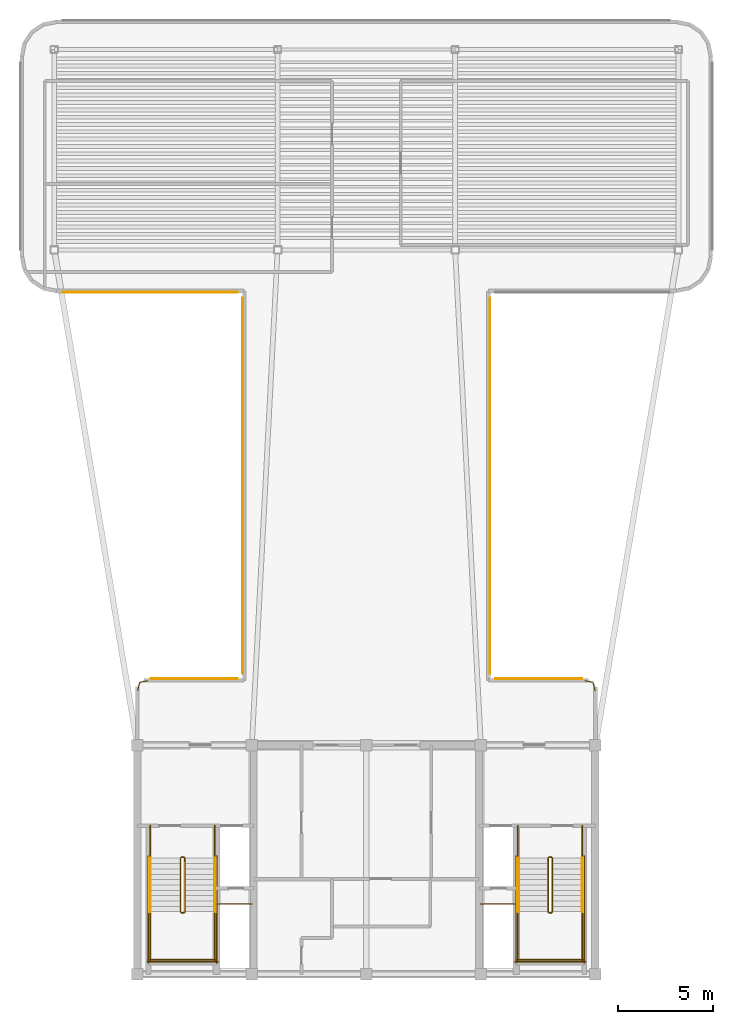
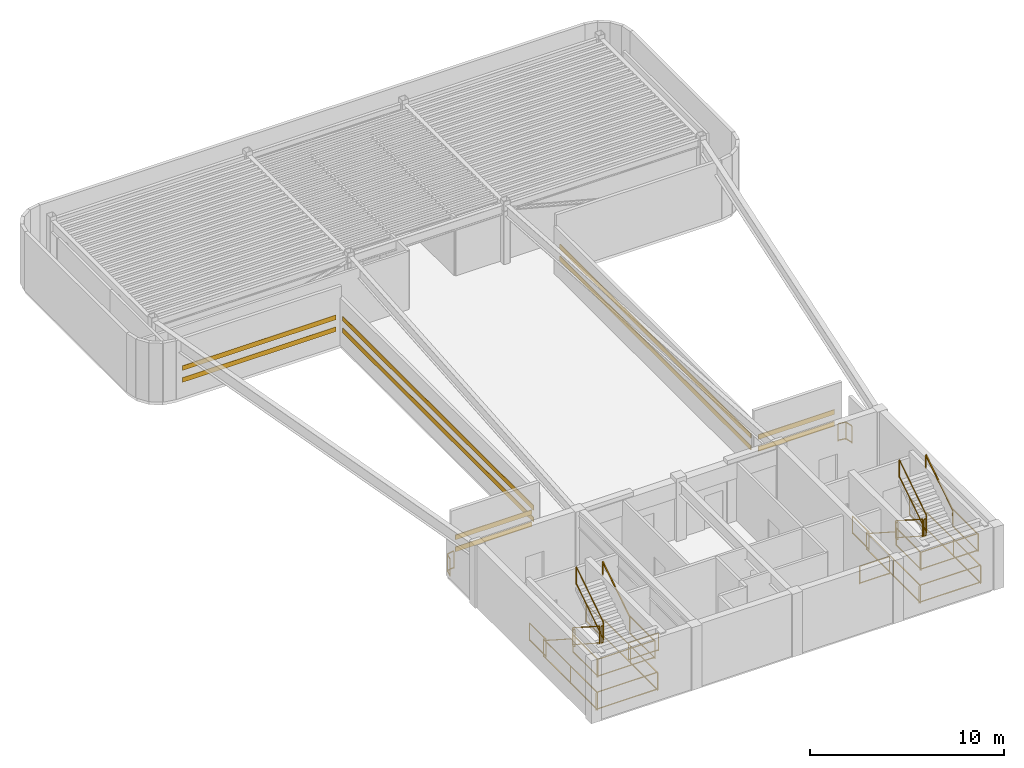
# One storey, part 5 of 6: 32 railings, 10 shading devices.
"""IFC4 building model written with IfcOpenShell, lengths in metres."""

import ifcopenshell
import ifcopenshell.guid

model = None  # the IFC model being written
_history = None  # IfcOwnerHistory: only IFC2X3 demands one
_inside = {}  # id of a spatial element -> (the spatial element, [elements in it])
_under = {}  # id of a project, library or spatial element -> (it, [spatial elements below it])
_declared = {}  # id of a project -> (the project, [libraries it declares])
_typed = {}  # id of a type object -> (the type object, [elements of that type])
_made_of = {}  # id of a material, layer set ... -> (it, [elements and type objects made of it])


def new_model(schema):
    """Start an empty IFC model of exactly this schema.

    Asked for "IFC4X3", IfcOpenShell would pick the latest addendum, in which some entities
    have other attributes; the version numbers below select the first issue.
    IFC2X3 requires an IfcOwnerHistory on every rooted entity: one is made here for all.
    """
    global model, _history
    if schema == "IFC4X3":
        model = ifcopenshell.file(schema_version=(4, 3, 0, 0))
    else:
        model = ifcopenshell.file(schema=schema)
    _inside.clear()
    _under.clear()
    _declared.clear()
    _typed.clear()
    _made_of.clear()
    _history = None
    if model.schema == "IFC2X3":
        org = make("IfcOrganization", Name="unknown")
        user = make(
            "IfcPersonAndOrganization",
            ThePerson=make("IfcPerson", FamilyName="unknown"),
            TheOrganization=org,
        )
        app = make(
            "IfcApplication",
            ApplicationDeveloper=org,
            Version="unknown",
            ApplicationFullName="unknown",
            ApplicationIdentifier="unknown",
        )
        _history = make(
            "IfcOwnerHistory",
            OwningUser=user,
            OwningApplication=app,
            ChangeAction="ADDED",
            CreationDate=0,
        )
    return model


def make(cls, **values):
    """One entity of the class cls with the attributes given. An attribute that is None is left unset."""
    return model.create_entity(
        cls, **{name: value for name, value in values.items() if value is not None}
    )


def rooted(cls, **values):
    """An entity with a GlobalId (a new one), such as an element, a storey or a relation."""
    return make(cls, GlobalId=ifcopenshell.guid.new(), OwnerHistory=_history, **values)


def si_unit(unit_type, name, prefix=None):
    """IfcSIUnit, for example si_unit("LENGTHUNIT", "METRE", prefix="MILLI")."""
    return make("IfcSIUnit", UnitType=unit_type, Prefix=prefix, Name=name)


def assignment(units):
    """IfcUnitAssignment: the units of a project."""
    return None if units is None else make("IfcUnitAssignment", Units=units)


def point(xyz):
    """IfcCartesianPoint."""
    return None if xyz is None else make("IfcCartesianPoint", Coordinates=xyz)


def direction(xyz):
    """IfcDirection."""
    return None if xyz is None else make("IfcDirection", DirectionRatios=xyz)


def frame(location, z_axis=None, x_axis=None):
    """IfcAxis2Placement3D, a coordinate frame: its origin and axes. An axis left out is left unset."""
    return make(
        "IfcAxis2Placement3D",
        Location=point(location),
        Axis=direction(z_axis),
        RefDirection=direction(x_axis),
    )


def frame_2d(location, x_axis=None):
    """IfcAxis2Placement2D, a coordinate frame in the plane: its origin and x axis."""
    return make(
        "IfcAxis2Placement2D", Location=point(location), RefDirection=direction(x_axis)
    )


def origin():
    """The frame at (0, 0, 0) with its axes left unset."""
    return frame((0.0, 0.0, 0.0))


def origin_2d():
    """The frame at (0, 0) in the plane with its x axis left unset."""
    return frame_2d((0.0, 0.0))


def place(relative_to, where):
    """IfcLocalPlacement: puts the frame where relative to a parent placement (None: the world)."""
    return make(
        "IfcLocalPlacement", PlacementRelTo=relative_to, RelativePlacement=where
    )


def context(
    kind, dimensions, precision=None, world=None, true_north=None, identifier=None
):
    """IfcGeometricRepresentationContext, for example the 3D "Model" context."""
    return make(
        "IfcGeometricRepresentationContext",
        ContextIdentifier=identifier,
        ContextType=kind,
        CoordinateSpaceDimension=dimensions,
        Precision=precision,
        WorldCoordinateSystem=world,
        TrueNorth=true_north,
    )


def subcontext(parent, identifier, kind, view, scale=None):
    """IfcGeometricRepresentationSubContext, for example "Body" below "Model"."""
    return make(
        "IfcGeometricRepresentationSubContext",
        ContextIdentifier=identifier,
        ContextType=kind,
        ParentContext=parent,
        TargetScale=scale,
        TargetView=view,
    )


def project(units=None, contexts=None):
    """IfcProject with its units and contexts."""
    return rooted(
        "IfcProject",
        Name="project",
        RepresentationContexts=contexts,
        UnitsInContext=assignment(units),
    )


def spatial(cls, under=None, at=None, **own):
    """A site, building, storey or space (cls), placed at a placement, below another one or the project."""
    s = rooted(cls, ObjectPlacement=at, **own)
    if under is not None:
        _under.setdefault(under.id(), (under, []))[1].append(s)
    return s


def profile(cls, at=None, kind="AREA", **sizes):
    """A parametric profile (cls). Its sizes go by their IFC names, for example OverallWidth=200.0."""
    return make(cls, ProfileType=kind, Position=at, **sizes)


def rectangle(**sizes):
    """IfcRectangleProfileDef."""
    return profile("IfcRectangleProfileDef", **sizes)


def extrude(swept, where, along, depth):
    """IfcExtrudedAreaSolid: the profile swept, set in the frame where, extruded along a direction by depth."""
    return make(
        "IfcExtrudedAreaSolid",
        SweptArea=swept,
        Position=where,
        ExtrudedDirection=direction(along),
        Depth=depth,
    )


def shape(context_of_items, identifier, shape_type, items):
    """IfcShapeRepresentation: the items that make up one representation, for example the "Body"."""
    return make(
        "IfcShapeRepresentation",
        ContextOfItems=context_of_items,
        RepresentationIdentifier=identifier,
        RepresentationType=shape_type,
        Items=items,
    )


def source(mapping_origin, context_of_items, identifier, shape_type, items):
    """IfcRepresentationMap: a shape defined once, which mapped items show again and again."""
    return make(
        "IfcRepresentationMap",
        MappingOrigin=mapping_origin,
        MappedRepresentation=shape(context_of_items, identifier, shape_type, items),
    )


def transform(
    local_origin,
    x_axis=None,
    y_axis=None,
    z_axis=None,
    scale=None,
    scale2=None,
    scale3=None,
    uniform=True,
):
    """IfcCartesianTransformationOperator3D, or its non-uniform kind. x_axis, y_axis, z_axis: its Axis1, 2, 3."""
    if uniform:
        return make(
            "IfcCartesianTransformationOperator3D",
            Axis1=direction(x_axis),
            Axis2=direction(y_axis),
            LocalOrigin=point(local_origin),
            Scale=scale,
            Axis3=direction(z_axis),
        )
    return make(
        "IfcCartesianTransformationOperator3DnonUniform",
        Axis1=direction(x_axis),
        Axis2=direction(y_axis),
        LocalOrigin=point(local_origin),
        Scale=scale,
        Axis3=direction(z_axis),
        Scale2=scale2,
        Scale3=scale3,
    )


def mapped(mapping_source, mapping_target):
    """IfcMappedItem: shows the shape of a source again, moved by a transform."""
    return make(
        "IfcMappedItem", MappingSource=mapping_source, MappingTarget=mapping_target
    )


def material(Name=None, Category=None):
    """IfcMaterial."""
    return make("IfcMaterial", Name=Name, Category=Category)


def layer(
    of_material, thickness, ventilated=None, Name=None, Category=None, Priority=None
):
    """IfcMaterialLayer: one layer of a wall or slab, of a material (None: an air gap)."""
    return make(
        "IfcMaterialLayer",
        Material=of_material,
        LayerThickness=thickness,
        IsVentilated=ventilated,
        Name=Name,
        Category=Category,
        Priority=Priority,
    )


def layer_set(layers, Name=None):
    """IfcMaterialLayerSet."""
    return make("IfcMaterialLayerSet", MaterialLayers=layers, LayerSetName=Name)


def material_profile(
    of_material, cross_section, Name=None, Category=None, Priority=None
):
    """IfcMaterialProfile: a cross section and its material."""
    return make(
        "IfcMaterialProfile",
        Name=Name,
        Material=of_material,
        Profile=cross_section,
        Priority=Priority,
        Category=Category,
    )


def profile_set(profiles, Name=None, composite=None):
    """IfcMaterialProfileSet."""
    return make(
        "IfcMaterialProfileSet",
        Name=Name,
        MaterialProfiles=profiles,
        CompositeProfile=composite,
    )


def made_of(thing, what):
    """Note that an element or type object is made of a material, layer set ...; save() writes the relation."""
    if what is not None:
        _made_of.setdefault(what.id(), (what, []))[1].append(thing)
    return thing


def type_object(cls, material=None, **own):
    """A type object (cls), such as IfcWallType, which elements share."""
    return made_of(rooted(cls, **own), material)


def element(
    cls,
    number,
    at=None,
    inside=None,
    cuts=None,
    type_object=None,
    material=None,
    context=None,
    identifier="Body",
    shape_type=None,
    held_by="IfcProductDefinitionShape",
    body=None,
    shapes=None,
    **own,
):
    """One element of the class cls, such as IfcWall. Its Tag is "e" and its number.

    at: its placement. inside: the storey or other place that contains it. cuts: it is an
    opening in that element (IfcRelVoidsElement). A single representation is given by context,
    identifier, shape_type and body (its items); several are given by shapes. held_by: the class
    of the entity that holds the representations. save() writes the other relations.
    """
    e = rooted(cls, Tag="e%d" % number, ObjectPlacement=at, **own)
    if body is not None:
        shapes = [shape(context, identifier, shape_type, body)]
    if shapes is not None:
        e.Representation = make(held_by, Representations=shapes)
    if inside is not None:
        _inside.setdefault(inside.id(), (inside, []))[1].append(e)
    if cuts is not None:
        rooted(
            "IfcRelVoidsElement", RelatingBuildingElement=cuts, RelatedOpeningElement=e
        )
    if type_object is not None:
        _typed.setdefault(type_object.id(), (type_object, []))[1].append(e)
    return made_of(e, material)


def aggregate(whole, parts):
    """IfcRelAggregates: a whole, such as a stair, and the parts it consists of."""
    return rooted("IfcRelAggregates", RelatingObject=whole, RelatedObjects=parts)


def save(model, path):
    """Write the relations noted so far, then the file.

    IfcRelAggregates (storeys below a building ...), IfcRelContainedInSpatialStructure (elements
    in a storey), IfcRelDefinesByType, IfcRelAssociatesMaterial and IfcRelDeclares: one each for
    every whole, place, type object, material and project.
    """
    for whole, parts in _under.values():
        aggregate(whole, parts)
    for where, things in _inside.values():
        rooted(
            "IfcRelContainedInSpatialStructure",
            RelatedElements=things,
            RelatingStructure=where,
        )
    for kind, things in _typed.values():
        rooted("IfcRelDefinesByType", RelatedObjects=things, RelatingType=kind)
    for what, things in _made_of.values():
        rooted("IfcRelAssociatesMaterial", RelatedObjects=things, RelatingMaterial=what)
    for by, libraries in _declared.values():
        rooted("IfcRelDeclares", RelatingContext=by, RelatedDefinitions=libraries)
    model.write(path)


model = new_model("IFC4")

# Units and contexts
model_context = context("Model", 3, precision=1e-05, world=origin(), true_north=direction((0.0, 1.0)))
body_context = subcontext(model_context, "Body", "Model", "MODEL_VIEW")
ifc_project = project(units=[si_unit("LENGTHUNIT", "METRE"), si_unit("AREAUNIT", "SQUARE_METRE"), si_unit("VOLUMEUNIT", "CUBIC_METRE"), si_unit("PLANEANGLEUNIT", "RADIAN"), si_unit("MASSUNIT", "GRAM", prefix="KILO")], contexts=[model_context])

# Site, building, storey
site_placement = place(None, origin())
site = spatial("IfcSite", under=ifc_project, at=site_placement, CompositionType="ELEMENT")
building_placement = place(site_placement, origin())
building = spatial("IfcBuilding", under=site, at=building_placement, Name="Brelvock Crest Care Tower", CompositionType="ELEMENT")
storey_placement = place(building_placement, frame((0.0, 0.0, 307.800048828125)))
storey = spatial("IfcBuildingStorey", under=building, at=storey_placement, Name="L78", CompositionType="ELEMENT", Elevation=307.800048828125)

# Railings
ifc_material_1 = material(Name="Steel Grade 350", Category="steel")
ifc_layer_1 = layer(ifc_material_1, 0.06005859375, Name="RL-GRD1")
ifc_layer_set_1 = layer_set([ifc_layer_1], Name="Steel Grade 350")
railing_type_1 = type_object("IfcRailingType", Name="RL-GRD1", PredefinedType="GUARDRAIL", material=ifc_layer_set_1)
railing_1_placement = place(storey_placement, frame((24.02001953125, 20.85009765625, 0.00390625)))
element("IfcRailing", 1, at=railing_1_placement, inside=storey, type_object=railing_type_1, Name="L78 West Throat Corner Guard", PredefinedType="GUARDRAIL", context=body_context, shape_type="SweptSolid", body=[
    extrude(rectangle(XDim=0.048095703125, YDim=0.048095703125, at=origin_2d()), frame((0.00048828125, 0.001953125, 1.09619140625), z_axis=(0.21715477266, 0.976137185395, 0.0), x_axis=(-0.976137185395, 0.21715477266, 0.0)), (0.0, 0.0, 1.0), 0.45703125),
    extrude(rectangle(XDim=0.048095703125, YDim=0.048095703125, at=origin_2d()), frame((0.00048828125, 0.001953125, 0.054931640625), z_axis=(0.21715477266, 0.976137185395, 0.0), x_axis=(-0.976137185395, 0.21715477266, 0.0)), (0.0, 0.0, 1.0), 0.45703125),
    extrude(rectangle(XDim=0.048095703125, YDim=0.048095703125, at=origin_2d()), frame((0.10205078125, 0.4501953125, 1.09619140625), z_axis=(0.983193031384, 0.182569063749, 0.0), x_axis=(-0.182569063749, 0.983193031384, 0.0)), (0.0, 0.0, 1.0), 0.433349609375),
    extrude(rectangle(XDim=0.048095703125, YDim=0.048095703125, at=origin_2d()), frame((0.10205078125, 0.4501953125, 0.054931640625), z_axis=(0.983193031384, 0.182569063749, 0.0), x_axis=(-0.182569063749, 0.983193031384, 0.0)), (0.0, 0.0, 1.0), 0.433349609375),
    extrude(rectangle(XDim=0.0419921875, YDim=0.0419921875, at=origin_2d()), origin(), (0.0, 0.0, 1.0), 1.070068359375),
    extrude(rectangle(XDim=0.0419921875, YDim=0.0419921875, at=origin_2d()), frame((0.10009765625, 0.449951171875, 0.0)), (0.0, 0.0, 1.0), 1.070068359375),
    extrude(rectangle(XDim=0.0419921875, YDim=0.0419921875, at=origin_2d()), frame((0.530029296875, 0.52978515625, 0.0)), (0.0, 0.0, 1.0), 1.070068359375),
])
railing_2_placement = place(storey_placement, frame((47.449951171875, 21.3798828125, 0.00390625)))
element("IfcRailing", 2, at=railing_2_placement, inside=storey, type_object=railing_type_1, Name="L78 East Throat Corner Guard", PredefinedType="GUARDRAIL", context=body_context, shape_type="SweptSolid", body=[
    extrude(rectangle(XDim=0.048095703125, YDim=0.048095703125, at=origin_2d()), frame((0.001953125, -0.000244140625, 1.09619140625), z_axis=(0.983193031384, -0.182569063749, 0.0), x_axis=(0.182569063749, 0.983193031384, 0.0)), (0.0, 0.0, 1.0), 0.433349609375),
    extrude(rectangle(XDim=0.048095703125, YDim=0.048095703125, at=origin_2d()), frame((0.001953125, -0.000244140625, 0.054931640625), z_axis=(0.983193031384, -0.182569063749, 0.0), x_axis=(0.182569063749, 0.983193031384, 0.0)), (0.0, 0.0, 1.0), 0.433349609375),
    extrude(rectangle(XDim=0.048095703125, YDim=0.048095703125, at=origin_2d()), frame((0.430419921875, -0.081787109375, 1.09619140625), z_axis=(0.21715477266, -0.976137185395, 0.0), x_axis=(0.976137185395, 0.21715477266, 0.0)), (0.0, 0.0, 1.0), 0.45703125),
    extrude(rectangle(XDim=0.048095703125, YDim=0.048095703125, at=origin_2d()), frame((0.430419921875, -0.081787109375, 0.054931640625), z_axis=(0.21715477266, -0.976137185395, 0.0), x_axis=(0.976137185395, 0.21715477266, 0.0)), (0.0, 0.0, 1.0), 0.45703125),
    extrude(rectangle(XDim=0.0419921875, YDim=0.0419921875, at=origin_2d()), origin(), (0.0, 0.0, 1.0), 1.070068359375),
    extrude(rectangle(XDim=0.0419921875, YDim=0.0419921875, at=origin_2d()), frame((0.429931640625, -0.079833984375, 0.0)), (0.0, 0.0, 1.0), 1.070068359375),
    extrude(rectangle(XDim=0.0419921875, YDim=0.0419921875, at=origin_2d()), frame((0.530029296875, -0.52978515625, 0.0)), (0.0, 0.0, 1.0), 1.070068359375),
])
ifc_layer_2 = layer(ifc_material_1, 0.050048828125, Name="RL-STG1")
ifc_layer_set_2 = layer_set([ifc_layer_2], Name="Steel Grade 350")
railing_type_2 = type_object("IfcRailingType", Name="RL-STG1", PredefinedType="GUARDRAIL", material=ifc_layer_set_2)
railing_3_placement = place(storey_placement, frame((26.260009765625, 12.080078125, 0.179931640625)))
element("IfcRailing", 3, at=railing_3_placement, inside=storey, type_object=railing_type_2, Name="L78 ST-1 stair guard 1", PredefinedType="GUARDRAIL", context=body_context, shape_type="SweptSolid", body=[
    extrude(rectangle(XDim=0.048095703125, YDim=0.048095703125, at=origin_2d()), frame((0.0, -0.001708984375, 1.116943359375), z_axis=(0.0, -0.841176092368, 0.540761298198), x_axis=(1.0, 0.0, 0.0)), (0.0, 0.0, 1.0), 3.32470703125),
    extrude(rectangle(XDim=0.048095703125, YDim=0.048095703125, at=origin_2d()), frame((0.0, -0.001708984375, 0.05615234375), z_axis=(0.0, -0.841176092368, 0.540761298198), x_axis=(1.0, 0.0, 0.0)), (0.0, 0.0, 1.0), 3.32470703125),
    extrude(rectangle(XDim=0.0419921875, YDim=0.0419921875, at=origin_2d()), origin(), (0.0, 0.0, 1.0), 1.08984375),
    extrude(rectangle(XDim=0.0419921875, YDim=0.0419921875, at=origin_2d()), frame((0.0, -2.800048828125, 1.800048828125)), (0.0, 0.0, 1.0), 1.08984375),
])
railing_4_placement = place(storey_placement, frame((26.31005859375, 9.22998046875, 1.97998046875)))
element("IfcRailing", 4, at=railing_4_placement, inside=storey, type_object=railing_type_2, Name="L78 ST-1 stair guard 2", PredefinedType="GUARDRAIL", context=body_context, shape_type="SweptSolid", body=[
    extrude(rectangle(XDim=0.048095703125, YDim=0.048095703125, at=origin_2d()), frame((0.001953125, 0.0, 1.11572265625), z_axis=(1.0, 0.0, 0.0), x_axis=(0.0, 1.0, 0.0)), (0.0, 0.0, 1.0), 0.115966796875),
    extrude(rectangle(XDim=0.048095703125, YDim=0.048095703125, at=origin_2d()), frame((0.001953125, 0.0, 0.054931640625), z_axis=(1.0, 0.0, 0.0), x_axis=(0.0, 1.0, 0.0)), (0.0, 0.0, 1.0), 0.115966796875),
    extrude(rectangle(XDim=0.0419921875, YDim=0.0419921875, at=origin_2d()), origin(), (0.0, 0.0, 1.0), 1.08984375),
    extrude(rectangle(XDim=0.0419921875, YDim=0.0419921875, at=origin_2d()), frame((0.119873046875, 0.0, 0.0)), (0.0, 0.0, 1.0), 1.08984375),
])
for number, where, name in (
    (5, (24.679931640625, 9.280029296875, 1.97998046875), "L78 ST-1 stair guard 3"),
    (6, (28.06005859375, 9.280029296875, 1.97998046875), "L78 ST-1 stair guard 4"),
):
    element("IfcRailing", number, at=place(storey_placement, frame(where)), inside=storey, type_object=railing_type_2, Name=name, PredefinedType="GUARDRAIL", context=body_context, shape_type="SweptSolid", body=[
        extrude(rectangle(XDim=0.048095703125, YDim=0.048095703125, at=origin_2d()), frame((0.0, -0.001953125, 1.11572265625), z_axis=(0.0, -1.0, 0.0), x_axis=(1.0, 0.0, 0.0)), (0.0, 0.0, 1.0), 2.576171875),
        extrude(rectangle(XDim=0.048095703125, YDim=0.048095703125, at=origin_2d()), frame((0.0, -0.001953125, 0.054931640625), z_axis=(0.0, -1.0, 0.0), x_axis=(1.0, 0.0, 0.0)), (0.0, 0.0, 1.0), 2.576171875),
        extrude(rectangle(XDim=0.0419921875, YDim=0.0419921875, at=origin_2d()), origin(), (0.0, 0.0, 1.0), 1.08984375),
        extrude(rectangle(XDim=0.0419921875, YDim=0.0419921875, at=origin_2d()), frame((0.0, -2.580078125, 0.0)), (0.0, 0.0, 1.0), 1.08984375),
    ])
railing_5_placement = place(storey_placement, frame((24.6298828125, 6.75, 1.97998046875)))
element("IfcRailing", 7, at=railing_5_placement, inside=storey, type_object=railing_type_2, Name="L78 ST-1 stair guard 5", PredefinedType="GUARDRAIL", context=body_context, shape_type="SweptSolid", body=[
    extrude(rectangle(XDim=0.048095703125, YDim=0.048095703125, at=origin_2d()), frame((0.001953125, 0.0, 1.11572265625), z_axis=(1.0, 0.0, 0.0), x_axis=(0.0, 1.0, 0.0)), (0.0, 0.0, 1.0), 3.476318359375),
    extrude(rectangle(XDim=0.048095703125, YDim=0.048095703125, at=origin_2d()), frame((0.001953125, 0.0, 0.054931640625), z_axis=(1.0, 0.0, 0.0), x_axis=(0.0, 1.0, 0.0)), (0.0, 0.0, 1.0), 3.476318359375),
    extrude(rectangle(XDim=0.0419921875, YDim=0.0419921875, at=origin_2d()), origin(), (0.0, 0.0, 1.0), 1.08984375),
    extrude(rectangle(XDim=0.0419921875, YDim=0.0419921875, at=origin_2d()), frame((3.480224609375, 0.0, 0.0)), (0.0, 0.0, 1.0), 1.08984375),
])
railing_6_placement = place(storey_placement, frame((26.47998046875, 9.280029296875, 2.159912109375)))
element("IfcRailing", 8, at=railing_6_placement, inside=storey, type_object=railing_type_2, Name="L78 ST-1 stair guard 6", PredefinedType="GUARDRAIL", context=body_context, shape_type="SweptSolid", body=[
    extrude(rectangle(XDim=0.048095703125, YDim=0.048095703125, at=origin_2d()), frame((0.0, 0.001708984375, 1.116943359375), z_axis=(0.0, 0.841176092368, 0.540761298198), x_axis=(-1.0, 0.0, 0.0)), (0.0, 0.0, 1.0), 3.32470703125),
    extrude(rectangle(XDim=0.048095703125, YDim=0.048095703125, at=origin_2d()), frame((0.0, 0.001708984375, 0.05615234375), z_axis=(0.0, 0.841176092368, 0.540761298198), x_axis=(-1.0, 0.0, 0.0)), (0.0, 0.0, 1.0), 3.32470703125),
    extrude(rectangle(XDim=0.0419921875, YDim=0.0419921875, at=origin_2d()), origin(), (0.0, 0.0, 1.0), 1.08984375),
    extrude(rectangle(XDim=0.0419921875, YDim=0.0419921875, at=origin_2d()), frame((0.0, 2.800048828125, 1.800048828125)), (0.0, 0.0, 1.0), 1.08984375),
])
railing_7_placement = place(storey_placement, frame((26.31005859375, 12.1298828125, 0.0)))
element("IfcRailing", 9, at=railing_7_placement, inside=storey, type_object=railing_type_2, Name="L78 ST-1 stair guard 7", PredefinedType="GUARDRAIL", context=body_context, shape_type="SweptSolid", body=[
    extrude(rectangle(XDim=0.048095703125, YDim=0.048095703125, at=origin_2d()), frame((0.001953125, 0.0, 1.11572265625), z_axis=(1.0, 0.0, 0.0), x_axis=(0.0, 1.0, 0.0)), (0.0, 0.0, 1.0), 0.115966796875),
    extrude(rectangle(XDim=0.048095703125, YDim=0.048095703125, at=origin_2d()), frame((0.001953125, 0.0, 0.054931640625), z_axis=(1.0, 0.0, 0.0), x_axis=(0.0, 1.0, 0.0)), (0.0, 0.0, 1.0), 0.115966796875),
    extrude(rectangle(XDim=0.0419921875, YDim=0.0419921875, at=origin_2d()), origin(), (0.0, 0.0, 1.0), 1.08984375),
    extrude(rectangle(XDim=0.0419921875, YDim=0.0419921875, at=origin_2d()), frame((0.119873046875, 0.0, 0.0)), (0.0, 0.0, 1.0), 1.08984375),
])
for number, where, name in (
    (10, (24.679931640625, 13.780029296875, 0.0), "L78 ST-1 stair guard 8"),
    (11, (28.06005859375, 13.780029296875, 0.0), "L78 ST-1 stair guard 9"),
):
    element("IfcRailing", number, at=place(storey_placement, frame(where)), inside=storey, type_object=railing_type_2, Name=name, PredefinedType="GUARDRAIL", context=body_context, shape_type="SweptSolid", body=[
        extrude(rectangle(XDim=0.048095703125, YDim=0.048095703125, at=origin_2d()), frame((0.0, -0.001953125, 1.11572265625), z_axis=(0.0, -1.0, 0.0), x_axis=(1.0, 0.0, 0.0)), (0.0, 0.0, 1.0), 1.696044921875),
        extrude(rectangle(XDim=0.048095703125, YDim=0.048095703125, at=origin_2d()), frame((0.0, -0.001953125, 0.054931640625), z_axis=(0.0, -1.0, 0.0), x_axis=(1.0, 0.0, 0.0)), (0.0, 0.0, 1.0), 1.696044921875),
        extrude(rectangle(XDim=0.0419921875, YDim=0.0419921875, at=origin_2d()), origin(), (0.0, 0.0, 1.0), 1.08984375),
        extrude(rectangle(XDim=0.0419921875, YDim=0.0419921875, at=origin_2d()), frame((0.0, -1.699951171875, 0.0)), (0.0, 0.0, 1.0), 1.08984375),
    ])
for number, where, name in (
    (12, (24.580078125, 12.179931640625, 0.0), "L78 ST-1 stair guard 10"),
    (13, (28.159912109375, 12.179931640625, 0.0), "L78 ST-1 stair guard 11"),
):
    element("IfcRailing", number, at=place(storey_placement, frame(where)), inside=storey, type_object=railing_type_2, Name=name, PredefinedType="GUARDRAIL", context=body_context, shape_type="SweptSolid", body=[
        extrude(rectangle(XDim=0.048095703125, YDim=0.048095703125, at=origin_2d()), frame((0.0, -0.001953125, 1.11572265625), z_axis=(0.0, -1.0, 0.0), x_axis=(1.0, 0.0, 0.0)), (0.0, 0.0, 1.0), 5.575927734375),
        extrude(rectangle(XDim=0.048095703125, YDim=0.048095703125, at=origin_2d()), frame((0.0, -0.001953125, 0.054931640625), z_axis=(0.0, -1.0, 0.0), x_axis=(1.0, 0.0, 0.0)), (0.0, 0.0, 1.0), 5.575927734375),
        extrude(rectangle(XDim=0.0419921875, YDim=0.0419921875, at=origin_2d()), origin(), (0.0, 0.0, 1.0), 1.08984375),
        extrude(rectangle(XDim=0.0419921875, YDim=0.0419921875, at=origin_2d()), frame((0.0, -2.7900390625, 0.0)), (0.0, 0.0, 1.0), 1.08984375),
        extrude(rectangle(XDim=0.0419921875, YDim=0.0419921875, at=origin_2d()), frame((0.0, -5.579833984375, 0.0)), (0.0, 0.0, 1.0), 1.08984375),
    ])
railing_8_placement = place(storey_placement, frame((24.530029296875, 6.64990234375, 0.0)))
element("IfcRailing", 14, at=railing_8_placement, inside=storey, type_object=railing_type_2, Name="L78 ST-1 stair guard 12", PredefinedType="GUARDRAIL", context=body_context, shape_type="SweptSolid", body=[
    extrude(rectangle(XDim=0.048095703125, YDim=0.048095703125, at=origin_2d()), frame((0.001953125, 0.0, 1.11572265625), z_axis=(1.0, 0.0, 0.0), x_axis=(0.0, 1.0, 0.0)), (0.0, 0.0, 1.0), 3.676025390625),
    extrude(rectangle(XDim=0.048095703125, YDim=0.048095703125, at=origin_2d()), frame((0.001953125, 0.0, 0.054931640625), z_axis=(1.0, 0.0, 0.0), x_axis=(0.0, 1.0, 0.0)), (0.0, 0.0, 1.0), 3.676025390625),
    extrude(rectangle(XDim=0.0419921875, YDim=0.0419921875, at=origin_2d()), origin(), (0.0, 0.0, 1.0), 1.08984375),
    extrude(rectangle(XDim=0.0419921875, YDim=0.0419921875, at=origin_2d()), frame((3.679931640625, 0.0, 0.0)), (0.0, 0.0, 1.0), 1.08984375),
])
railing_9_placement = place(storey_placement, frame((45.52001953125, 12.080078125, 0.179931640625)))
element("IfcRailing", 15, at=railing_9_placement, inside=storey, type_object=railing_type_2, Name="L78 ST-2 stair guard 1", PredefinedType="GUARDRAIL", context=body_context, shape_type="SweptSolid", body=[
    extrude(rectangle(XDim=0.048095703125, YDim=0.048095703125, at=origin_2d()), frame((0.0, -0.001708984375, 1.116943359375), z_axis=(0.0, -0.841176092368, 0.540761298198), x_axis=(1.0, 0.0, 0.0)), (0.0, 0.0, 1.0), 3.32470703125),
    extrude(rectangle(XDim=0.048095703125, YDim=0.048095703125, at=origin_2d()), frame((0.0, -0.001708984375, 0.05615234375), z_axis=(0.0, -0.841176092368, 0.540761298198), x_axis=(1.0, 0.0, 0.0)), (0.0, 0.0, 1.0), 3.32470703125),
    extrude(rectangle(XDim=0.0419921875, YDim=0.0419921875, at=origin_2d()), origin(), (0.0, 0.0, 1.0), 1.08984375),
    extrude(rectangle(XDim=0.0419921875, YDim=0.0419921875, at=origin_2d()), frame((0.0, -2.800048828125, 1.800048828125)), (0.0, 0.0, 1.0), 1.08984375),
])
railing_10_placement = place(storey_placement, frame((45.570068359375, 9.22998046875, 1.97998046875)))
element("IfcRailing", 16, at=railing_10_placement, inside=storey, type_object=railing_type_2, Name="L78 ST-2 stair guard 2", PredefinedType="GUARDRAIL", context=body_context, shape_type="SweptSolid", body=[
    extrude(rectangle(XDim=0.048095703125, YDim=0.048095703125, at=origin_2d()), frame((0.001953125, 0.0, 1.11572265625), z_axis=(1.0, 0.0, 0.0), x_axis=(0.0, 1.0, 0.0)), (0.0, 0.0, 1.0), 0.115966796875),
    extrude(rectangle(XDim=0.048095703125, YDim=0.048095703125, at=origin_2d()), frame((0.001953125, 0.0, 0.054931640625), z_axis=(1.0, 0.0, 0.0), x_axis=(0.0, 1.0, 0.0)), (0.0, 0.0, 1.0), 0.115966796875),
    extrude(rectangle(XDim=0.0419921875, YDim=0.0419921875, at=origin_2d()), origin(), (0.0, 0.0, 1.0), 1.08984375),
    extrude(rectangle(XDim=0.0419921875, YDim=0.0419921875, at=origin_2d()), frame((0.119873046875, 0.0, 0.0)), (0.0, 0.0, 1.0), 1.08984375),
])
for number, where, name in (
    (17, (43.93994140625, 9.280029296875, 1.97998046875), "L78 ST-2 stair guard 3"),
    (18, (47.320068359375, 9.280029296875, 1.97998046875), "L78 ST-2 stair guard 4"),
):
    element("IfcRailing", number, at=place(storey_placement, frame(where)), inside=storey, type_object=railing_type_2, Name=name, PredefinedType="GUARDRAIL", context=body_context, shape_type="SweptSolid", body=[
        extrude(rectangle(XDim=0.048095703125, YDim=0.048095703125, at=origin_2d()), frame((0.0, -0.001953125, 1.11572265625), z_axis=(0.0, -1.0, 0.0), x_axis=(1.0, 0.0, 0.0)), (0.0, 0.0, 1.0), 2.576171875),
        extrude(rectangle(XDim=0.048095703125, YDim=0.048095703125, at=origin_2d()), frame((0.0, -0.001953125, 0.054931640625), z_axis=(0.0, -1.0, 0.0), x_axis=(1.0, 0.0, 0.0)), (0.0, 0.0, 1.0), 2.576171875),
        extrude(rectangle(XDim=0.0419921875, YDim=0.0419921875, at=origin_2d()), origin(), (0.0, 0.0, 1.0), 1.08984375),
        extrude(rectangle(XDim=0.0419921875, YDim=0.0419921875, at=origin_2d()), frame((0.0, -2.580078125, 0.0)), (0.0, 0.0, 1.0), 1.08984375),
    ])
railing_11_placement = place(storey_placement, frame((43.889892578125, 6.75, 1.97998046875)))
element("IfcRailing", 19, at=railing_11_placement, inside=storey, type_object=railing_type_2, Name="L78 ST-2 stair guard 5", PredefinedType="GUARDRAIL", context=body_context, shape_type="SweptSolid", body=[
    extrude(rectangle(XDim=0.048095703125, YDim=0.048095703125, at=origin_2d()), frame((0.001953125, 0.0, 1.11572265625), z_axis=(1.0, 0.0, 0.0), x_axis=(0.0, 1.0, 0.0)), (0.0, 0.0, 1.0), 3.476318359375),
    extrude(rectangle(XDim=0.048095703125, YDim=0.048095703125, at=origin_2d()), frame((0.001953125, 0.0, 0.054931640625), z_axis=(1.0, 0.0, 0.0), x_axis=(0.0, 1.0, 0.0)), (0.0, 0.0, 1.0), 3.476318359375),
    extrude(rectangle(XDim=0.0419921875, YDim=0.0419921875, at=origin_2d()), origin(), (0.0, 0.0, 1.0), 1.08984375),
    extrude(rectangle(XDim=0.0419921875, YDim=0.0419921875, at=origin_2d()), frame((3.480224609375, 0.0, 0.0)), (0.0, 0.0, 1.0), 1.08984375),
])
railing_12_placement = place(storey_placement, frame((45.739990234375, 9.280029296875, 2.159912109375)))
element("IfcRailing", 20, at=railing_12_placement, inside=storey, type_object=railing_type_2, Name="L78 ST-2 stair guard 6", PredefinedType="GUARDRAIL", context=body_context, shape_type="SweptSolid", body=[
    extrude(rectangle(XDim=0.048095703125, YDim=0.048095703125, at=origin_2d()), frame((0.0, 0.001708984375, 1.116943359375), z_axis=(0.0, 0.841176092368, 0.540761298198), x_axis=(-1.0, 0.0, 0.0)), (0.0, 0.0, 1.0), 3.32470703125),
    extrude(rectangle(XDim=0.048095703125, YDim=0.048095703125, at=origin_2d()), frame((0.0, 0.001708984375, 0.05615234375), z_axis=(0.0, 0.841176092368, 0.540761298198), x_axis=(-1.0, 0.0, 0.0)), (0.0, 0.0, 1.0), 3.32470703125),
    extrude(rectangle(XDim=0.0419921875, YDim=0.0419921875, at=origin_2d()), origin(), (0.0, 0.0, 1.0), 1.08984375),
    extrude(rectangle(XDim=0.0419921875, YDim=0.0419921875, at=origin_2d()), frame((0.0, 2.800048828125, 1.800048828125)), (0.0, 0.0, 1.0), 1.08984375),
])
railing_13_placement = place(storey_placement, frame((45.570068359375, 12.1298828125, 0.0)))
element("IfcRailing", 21, at=railing_13_placement, inside=storey, type_object=railing_type_2, Name="L78 ST-2 stair guard 7", PredefinedType="GUARDRAIL", context=body_context, shape_type="SweptSolid", body=[
    extrude(rectangle(XDim=0.048095703125, YDim=0.048095703125, at=origin_2d()), frame((0.001953125, 0.0, 1.11572265625), z_axis=(1.0, 0.0, 0.0), x_axis=(0.0, 1.0, 0.0)), (0.0, 0.0, 1.0), 0.115966796875),
    extrude(rectangle(XDim=0.048095703125, YDim=0.048095703125, at=origin_2d()), frame((0.001953125, 0.0, 0.054931640625), z_axis=(1.0, 0.0, 0.0), x_axis=(0.0, 1.0, 0.0)), (0.0, 0.0, 1.0), 0.115966796875),
    extrude(rectangle(XDim=0.0419921875, YDim=0.0419921875, at=origin_2d()), origin(), (0.0, 0.0, 1.0), 1.08984375),
    extrude(rectangle(XDim=0.0419921875, YDim=0.0419921875, at=origin_2d()), frame((0.119873046875, 0.0, 0.0)), (0.0, 0.0, 1.0), 1.08984375),
])
for number, where, name in (
    (22, (43.93994140625, 13.780029296875, 0.0), "L78 ST-2 stair guard 8"),
    (23, (47.320068359375, 13.780029296875, 0.0), "L78 ST-2 stair guard 9"),
):
    element("IfcRailing", number, at=place(storey_placement, frame(where)), inside=storey, type_object=railing_type_2, Name=name, PredefinedType="GUARDRAIL", context=body_context, shape_type="SweptSolid", body=[
        extrude(rectangle(XDim=0.048095703125, YDim=0.048095703125, at=origin_2d()), frame((0.0, -0.001953125, 1.11572265625), z_axis=(0.0, -1.0, 0.0), x_axis=(1.0, 0.0, 0.0)), (0.0, 0.0, 1.0), 1.696044921875),
        extrude(rectangle(XDim=0.048095703125, YDim=0.048095703125, at=origin_2d()), frame((0.0, -0.001953125, 0.054931640625), z_axis=(0.0, -1.0, 0.0), x_axis=(1.0, 0.0, 0.0)), (0.0, 0.0, 1.0), 1.696044921875),
        extrude(rectangle(XDim=0.0419921875, YDim=0.0419921875, at=origin_2d()), origin(), (0.0, 0.0, 1.0), 1.08984375),
        extrude(rectangle(XDim=0.0419921875, YDim=0.0419921875, at=origin_2d()), frame((0.0, -1.699951171875, 0.0)), (0.0, 0.0, 1.0), 1.08984375),
    ])
for number, where, name in (
    (24, (43.840087890625, 12.179931640625, 0.0), "L78 ST-2 stair guard 10"),
    (25, (47.419921875, 12.179931640625, 0.0), "L78 ST-2 stair guard 11"),
):
    element("IfcRailing", number, at=place(storey_placement, frame(where)), inside=storey, type_object=railing_type_2, Name=name, PredefinedType="GUARDRAIL", context=body_context, shape_type="SweptSolid", body=[
        extrude(rectangle(XDim=0.048095703125, YDim=0.048095703125, at=origin_2d()), frame((0.0, -0.001953125, 1.11572265625), z_axis=(0.0, -1.0, 0.0), x_axis=(1.0, 0.0, 0.0)), (0.0, 0.0, 1.0), 5.575927734375),
        extrude(rectangle(XDim=0.048095703125, YDim=0.048095703125, at=origin_2d()), frame((0.0, -0.001953125, 0.054931640625), z_axis=(0.0, -1.0, 0.0), x_axis=(1.0, 0.0, 0.0)), (0.0, 0.0, 1.0), 5.575927734375),
        extrude(rectangle(XDim=0.0419921875, YDim=0.0419921875, at=origin_2d()), origin(), (0.0, 0.0, 1.0), 1.08984375),
        extrude(rectangle(XDim=0.0419921875, YDim=0.0419921875, at=origin_2d()), frame((0.0, -2.7900390625, 0.0)), (0.0, 0.0, 1.0), 1.08984375),
        extrude(rectangle(XDim=0.0419921875, YDim=0.0419921875, at=origin_2d()), frame((0.0, -5.579833984375, 0.0)), (0.0, 0.0, 1.0), 1.08984375),
    ])
railing_14_placement = place(storey_placement, frame((43.7900390625, 6.64990234375, 0.0)))
element("IfcRailing", 26, at=railing_14_placement, inside=storey, type_object=railing_type_2, Name="L78 ST-2 stair guard 12", PredefinedType="GUARDRAIL", context=body_context, shape_type="SweptSolid", body=[
    extrude(rectangle(XDim=0.048095703125, YDim=0.048095703125, at=origin_2d()), frame((0.001953125, 0.0, 1.11572265625), z_axis=(1.0, 0.0, 0.0), x_axis=(0.0, 1.0, 0.0)), (0.0, 0.0, 1.0), 3.676025390625),
    extrude(rectangle(XDim=0.048095703125, YDim=0.048095703125, at=origin_2d()), frame((0.001953125, 0.0, 0.054931640625), z_axis=(1.0, 0.0, 0.0), x_axis=(0.0, 1.0, 0.0)), (0.0, 0.0, 1.0), 3.676025390625),
    extrude(rectangle(XDim=0.0419921875, YDim=0.0419921875, at=origin_2d()), origin(), (0.0, 0.0, 1.0), 1.08984375),
    extrude(rectangle(XDim=0.0419921875, YDim=0.0419921875, at=origin_2d()), frame((3.679931640625, 0.0, 0.0)), (0.0, 0.0, 1.0), 1.08984375),
])
for number, where, name in (
    (27, (28.219970703125, 9.679931640625, 0.0), "L78 Fire Riser Threshold Guard"),
    (28, (42.0, 9.679931640625, 0.0), "L78 Exhaust Riser Threshold Guard"),
):
    element("IfcRailing", number, at=place(storey_placement, frame(where)), inside=storey, type_object=railing_type_2, Name=name, PredefinedType="GUARDRAIL", context=body_context, shape_type="SweptSolid", body=[
        extrude(rectangle(XDim=0.048095703125, YDim=0.048095703125, at=origin_2d()), frame((0.001953125, 0.0, 1.11572265625), z_axis=(1.0, 0.0, 0.0), x_axis=(0.0, 1.0, 0.0)), (0.0, 0.0, 1.0), 1.776123046875),
        extrude(rectangle(XDim=0.048095703125, YDim=0.048095703125, at=origin_2d()), frame((0.001953125, 0.0, 0.054931640625), z_axis=(1.0, 0.0, 0.0), x_axis=(0.0, 1.0, 0.0)), (0.0, 0.0, 1.0), 1.776123046875),
        extrude(rectangle(XDim=0.0419921875, YDim=0.0419921875, at=origin_2d()), origin(), (0.0, 0.0, 1.0), 1.08984375),
        extrude(rectangle(XDim=0.0419921875, YDim=0.0419921875, at=origin_2d()), frame((1.780029296875, 0.0, 0.0)), (0.0, 0.0, 1.0), 1.08984375),
    ])
ifc_layer_3 = layer(ifc_material_1, 0.048095703125, Name="RL-STH1")
ifc_layer_set_3 = layer_set([ifc_layer_3], Name="Steel Grade 350")
railing_type_3 = type_object("IfcRailingType", Name="RL-STH1", PredefinedType="HANDRAIL", material=ifc_layer_set_3)
railing_15_placement = place(storey_placement, frame((24.679931640625, 12.080078125, 0.179931640625)))
element("IfcRailing", 29, at=railing_15_placement, inside=storey, type_object=railing_type_3, Name="L78 ST-1 stair handrail 1", PredefinedType="HANDRAIL", context=body_context, shape_type="SweptSolid", body=[
    extrude(rectangle(XDim=0.048095703125, YDim=0.048095703125, at=origin_2d()), frame((0.0, -0.001708984375, 0.876953125), z_axis=(0.0, -0.841176092368, 0.540761298198), x_axis=(1.0, 0.0, 0.0)), (0.0, 0.0, 1.0), 3.32470703125),
    extrude(rectangle(XDim=0.0419921875, YDim=0.0419921875, at=origin_2d()), origin(), (0.0, 0.0, 1.0), 0.849853515625),
    extrude(rectangle(XDim=0.0419921875, YDim=0.0419921875, at=origin_2d()), frame((0.0, -2.800048828125, 1.800048828125)), (0.0, 0.0, 1.0), 0.849853515625),
])
railing_16_placement = place(storey_placement, frame((28.06005859375, 9.280029296875, 2.159912109375)))
element("IfcRailing", 30, at=railing_16_placement, inside=storey, type_object=railing_type_3, Name="L78 ST-1 stair handrail 2", PredefinedType="HANDRAIL", context=body_context, shape_type="SweptSolid", body=[
    extrude(rectangle(XDim=0.048095703125, YDim=0.048095703125, at=origin_2d()), frame((0.0, 0.001708984375, 0.876953125), z_axis=(0.0, 0.841176092368, 0.540761298198), x_axis=(-1.0, 0.0, 0.0)), (0.0, 0.0, 1.0), 3.32470703125),
    extrude(rectangle(XDim=0.0419921875, YDim=0.0419921875, at=origin_2d()), origin(), (0.0, 0.0, 1.0), 0.849853515625),
    extrude(rectangle(XDim=0.0419921875, YDim=0.0419921875, at=origin_2d()), frame((0.0, 2.800048828125, 1.800048828125)), (0.0, 0.0, 1.0), 0.849853515625),
])
railing_17_placement = place(storey_placement, frame((43.93994140625, 12.080078125, 0.179931640625)))
element("IfcRailing", 31, at=railing_17_placement, inside=storey, type_object=railing_type_3, Name="L78 ST-2 stair handrail 1", PredefinedType="HANDRAIL", context=body_context, shape_type="SweptSolid", body=[
    extrude(rectangle(XDim=0.048095703125, YDim=0.048095703125, at=origin_2d()), frame((0.0, -0.001708984375, 0.876953125), z_axis=(0.0, -0.841176092368, 0.540761298198), x_axis=(1.0, 0.0, 0.0)), (0.0, 0.0, 1.0), 3.32470703125),
    extrude(rectangle(XDim=0.0419921875, YDim=0.0419921875, at=origin_2d()), origin(), (0.0, 0.0, 1.0), 0.849853515625),
    extrude(rectangle(XDim=0.0419921875, YDim=0.0419921875, at=origin_2d()), frame((0.0, -2.800048828125, 1.800048828125)), (0.0, 0.0, 1.0), 0.849853515625),
])
railing_18_placement = place(storey_placement, frame((47.320068359375, 9.280029296875, 2.159912109375)))
element("IfcRailing", 32, at=railing_18_placement, inside=storey, type_object=railing_type_3, Name="L78 ST-2 stair handrail 2", PredefinedType="HANDRAIL", context=body_context, shape_type="SweptSolid", body=[
    extrude(rectangle(XDim=0.048095703125, YDim=0.048095703125, at=origin_2d()), frame((0.0, 0.001708984375, 0.876953125), z_axis=(0.0, 0.841176092368, 0.540761298198), x_axis=(-1.0, 0.0, 0.0)), (0.0, 0.0, 1.0), 3.32470703125),
    extrude(rectangle(XDim=0.0419921875, YDim=0.0419921875, at=origin_2d()), origin(), (0.0, 0.0, 1.0), 0.849853515625),
    extrude(rectangle(XDim=0.0419921875, YDim=0.0419921875, at=origin_2d()), frame((0.0, 2.800048828125, 1.800048828125)), (0.0, 0.0, 1.0), 0.849853515625),
])

# Shading devices
ifc_material_2 = material(Name="Aluminium 6063-T6", Category="aluminium")
ifc_material_profile_1 = material_profile(ifc_material_2, rectangle(XDim=0.044921875, YDim=0.300048828125, at=origin_2d()), Name="LOUVRE45x300")
ifc_profile_set_1 = profile_set([ifc_material_profile_1], Name="Aluminium 6063-T6")
shading_device_type_1 = type_object("IfcShadingDeviceType", Name="SHD-SH1", PredefinedType="SHUTTER", material=ifc_profile_set_1)
shared_shape_1 = source(origin(), body_context, "Body", "SweptSolid", [
    extrude(rectangle(XDim=0.044921875, YDim=0.300048828125, at=origin_2d()), origin(), (0.0, 0.0, 1.0), 4.550048828125),
])
for number, where, z_axis, x_axis, name in (
    (33, (24.699951171875, 21.47509765625, 1.099853515625), (1.0, 0.0, 0.0), (0.0, 1.0, 0.0), "L78 Crown Acoustic Louvre 11-1"),
    (34, (24.699951171875, 21.47509765625, 1.849853515625), (1.0, 0.0, 0.0), (0.0, 1.0, 0.0), "L78 Crown Acoustic Louvre 11-2"),
    (35, (42.75, 21.47509765625, 1.099853515625), (1.0, 0.0, 0.0), (0.0, 1.0, 0.0), "L78 Crown Acoustic Louvre 35-1"),
    (36, (42.75, 21.47509765625, 1.849853515625), (1.0, 0.0, 0.0), (0.0, 1.0, 0.0), "L78 Crown Acoustic Louvre 35-2"),
):
    element("IfcShadingDevice", number, at=place(storey_placement, frame(where, z_axis=z_axis, x_axis=x_axis)), inside=storey, type_object=shading_device_type_1, Name=name, PredefinedType="SHUTTER", context=body_context, shape_type="MappedRepresentation", body=[
        mapped(shared_shape_1, transform((0.0, 0.0, 0.0), x_axis=(1.0, 0.0, 0.0), y_axis=(0.0, 1.0, 0.0), z_axis=(0.0, 0.0, 1.0), scale=1.0)),
    ])
ifc_material_profile_2 = material_profile(ifc_material_2, rectangle(XDim=0.044921875, YDim=0.300048828125, at=origin_2d()), Name="LOUVRE45x300")
ifc_profile_set_2 = profile_set([ifc_material_profile_2], Name="Aluminium 6063-T6")
shading_device_type_2 = type_object("IfcShadingDeviceType", Name="SHD-LV1", PredefinedType="JALOUSIE", material=ifc_profile_set_2)
shared_shape_2 = source(origin(), body_context, "Body", "SweptSolid", [
    extrude(rectangle(XDim=0.044921875, YDim=0.300048828125, at=origin_2d()), origin(), (0.0, 0.0, 1.0), 19.699951171875),
])
for number, where, z_axis, x_axis, name in (
    (37, (29.52490234375, 21.75, 1.099853515625), (0.0, 1.0, 0.0), (-1.0, 0.0, 0.0), "L78 Crown Acoustic Louvre 12-1"),
    (38, (29.52490234375, 21.75, 1.849853515625), (0.0, 1.0, 0.0), (-1.0, 0.0, 0.0), "L78 Crown Acoustic Louvre 12-2"),
    (39, (42.47509765625, 41.449951171875, 1.099853515625), (0.0, -1.0, 0.0), (1.0, 0.0, 0.0), "L78 Crown Acoustic Louvre 34-1"),
    (40, (42.47509765625, 41.449951171875, 1.849853515625), (0.0, -1.0, 0.0), (1.0, 0.0, 0.0), "L78 Crown Acoustic Louvre 34-2"),
):
    element("IfcShadingDevice", number, at=place(storey_placement, frame(where, z_axis=z_axis, x_axis=x_axis)), inside=storey, type_object=shading_device_type_2, Name=name, PredefinedType="JALOUSIE", context=body_context, shape_type="MappedRepresentation", body=[
        mapped(shared_shape_2, transform((0.0, 0.0, 0.0), x_axis=(1.0, 0.0, 0.0), y_axis=(0.0, 1.0, 0.0), z_axis=(0.0, 0.0, 1.0), scale=1.0)),
    ])
shared_shape_3 = source(origin(), body_context, "Body", "SweptSolid", [
    extrude(rectangle(XDim=0.044921875, YDim=0.300048828125, at=origin_2d()), origin(), (0.0, 0.0, 1.0), 9.14990234375),
])
for number, where, z_axis, x_axis, name in (
    (41, (29.25, 41.72509765625, 1.099853515625), (-1.0, 0.0, 0.0), (0.0, -1.0, 0.0), "L78 Crown Acoustic Louvre 13-1"),
    (42, (29.25, 41.72509765625, 1.849853515625), (-1.0, 0.0, 0.0), (0.0, -1.0, 0.0), "L78 Crown Acoustic Louvre 13-2"),
):
    element("IfcShadingDevice", number, at=place(storey_placement, frame(where, z_axis=z_axis, x_axis=x_axis)), inside=storey, type_object=shading_device_type_1, Name=name, PredefinedType="SHUTTER", context=body_context, shape_type="MappedRepresentation", body=[
        mapped(shared_shape_3, transform((0.0, 0.0, 0.0), x_axis=(1.0, 0.0, 0.0), y_axis=(0.0, 1.0, 0.0), z_axis=(0.0, 0.0, 1.0), scale=1.0)),
    ])

save(model, "model.ifc")
